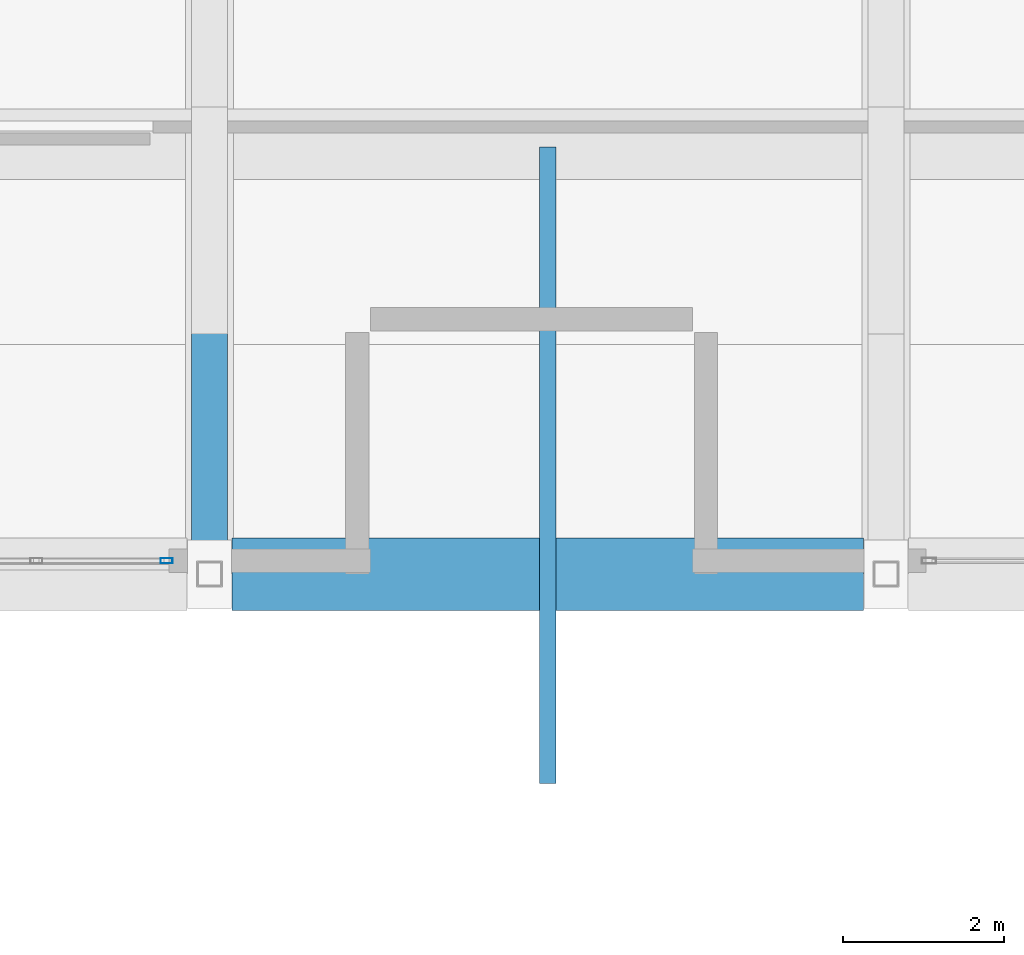
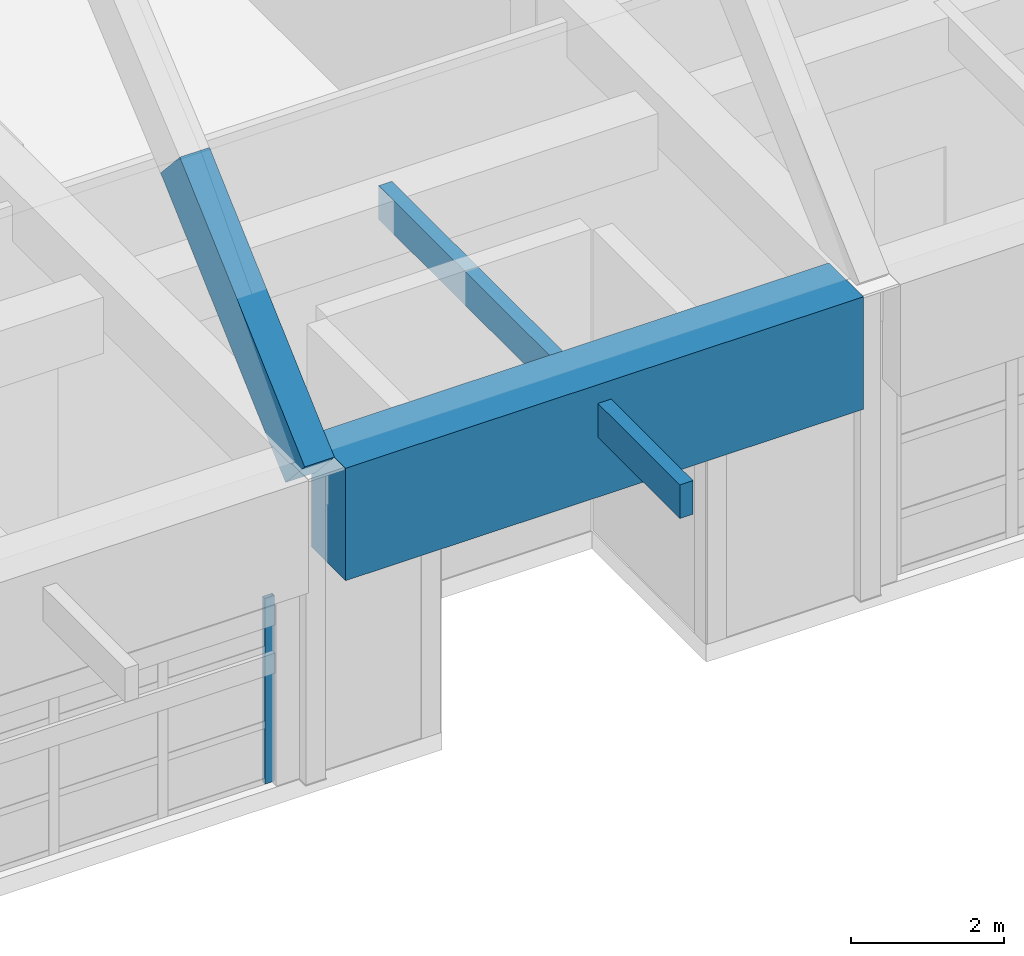
# One storey, part 29 of 103: 2 beams, 2 members, 1 element without a shape of its own.
"""IFC4 building model written with IfcOpenShell, lengths in metres."""

from ifc_helpers import new_model, si_unit, direction, frame, origin, origin_2d, place, context, subcontext, project, spatial, rectangle, hollow_rectangle, extrude, material, layer, layer_set, material_profile, profile_set, type_object, element, aggregate, save


model = new_model("IFC4")

# Units and contexts
model_context = context("Model", 3, precision=1e-05, world=origin(), true_north=direction((0.0, 1.0)))
body_context = subcontext(model_context, "Body", "Model", "MODEL_VIEW")
ifc_project = project(units=[si_unit("LENGTHUNIT", "METRE"), si_unit("AREAUNIT", "SQUARE_METRE"), si_unit("VOLUMEUNIT", "CUBIC_METRE"), si_unit("PLANEANGLEUNIT", "RADIAN"), si_unit("MASSUNIT", "GRAM", prefix="KILO")], contexts=[model_context])

# Site, building, storey
site_placement = place(None, origin())
site = spatial("IfcSite", under=ifc_project, at=site_placement, CompositionType="ELEMENT")
building_placement = place(site_placement, origin())
building = spatial("IfcBuilding", under=site, at=building_placement, Name="Quendrovan Civic Courthouse", CompositionType="ELEMENT")
storey_placement = place(building_placement, frame((0.0, 0.0, 15.300048828125)))
storey = spatial("IfcBuildingStorey", under=building, at=storey_placement, Name="L04", CompositionType="ELEMENT", Elevation=15.300048828125)

# Beams
ifc_material_1 = material(Name="Concrete C45/55", Category="concrete")
ifc_material_profile_1 = material_profile(ifc_material_1, rectangle(XDim=0.89990234375, YDim=1.800048828125, at=origin_2d()), Name="RC-TG-900x1800")
ifc_profile_set_1 = profile_set([ifc_material_profile_1], Name="Concrete C45/55")
beam_type_1 = type_object("IfcBeamType", Name="BM-TG1800", PredefinedType="BEAM", material=ifc_profile_set_1)
beam_1_placement = place(storey_placement, frame((42.280029296875, 64.800048828125, 4.199951171875), z_axis=(1.0, 0.0, 0.0), x_axis=(0.0, 1.0, 0.0)))
element("IfcBeam", 1, at=beam_1_placement, inside=storey, type_object=beam_type_1, Name="BV2 Springing Collector Girder S-2", PredefinedType="BEAM", context=body_context, shape_type="SweptSolid", body=[
    extrude(rectangle(XDim=0.89990234375, YDim=1.800048828125, at=origin_2d()), origin(), (0.0, 0.0, 1.0), 7.840087890625),
])
ifc_material_2 = material(Name="Concrete C40/50", Category="concrete")
ifc_material_profile_2 = material_profile(ifc_material_2, rectangle(XDim=0.449951171875, YDim=0.75, at=origin_2d()), Name="RC-VRIB-450x750")
ifc_profile_set_2 = profile_set([ifc_material_profile_2], Name="Concrete C40/50")
beam_type_2 = type_object("IfcBeamType", Name="BM-VRIB750", PredefinedType="BEAM", material=ifc_profile_set_2)
beam_2_placement = place(storey_placement, frame((42.0, 64.800048828125, 4.89990234375), z_axis=(0.0, 0.740758632606, 0.671771276716), x_axis=(-1.0, 0.0, 0.0)))
element("IfcBeam", 2, at=beam_2_placement, inside=storey, type_object=beam_type_2, Name="BV2 Concrete Vault Arch Rib A2-C1", PredefinedType="BEAM", context=body_context, shape_type="SweptSolid", body=[
    extrude(rectangle(XDim=0.449951171875, YDim=0.75, at=origin_2d()), origin(), (0.0, 0.0, 1.0), 4.423583984375),
])

# Curtain wall, member
ifc_material_3 = material(Name="Bronze anodised aluminium and low-E glass", Category="aluminium")
ifc_layer = layer(ifc_material_3, 0.179931640625, Name="Bronze anodised aluminium and low-E glass")
ifc_layer_set = layer_set([ifc_layer], Name="Bronze anodised aluminium and low-E glass")
curtain_wall_type = type_object("IfcCurtainWallType", Name="CW-U66x30", PredefinedType="USERDEFINED", material=ifc_layer_set)
curtain_wall_placement = place(storey_placement, origin())
curtain_wall = element("IfcCurtainWall", 3, at=curtain_wall_placement, inside=storey, type_object=curtain_wall_type, Name="L04 Unitised Hurricane Curtain Wall CW-163", ObjectType="UNITISED CURTAIN WALL", PredefinedType="USERDEFINED")
ifc_material_4 = material(Name="Bronze anodised aluminium", Category="aluminium")
ifc_material_profile_3 = material_profile(ifc_material_4, hollow_rectangle(XDim=0.06494140625, YDim=0.14990234375, WallThickness=0.00390625, at=origin_2d()), Name="CW-MULL-65x150")
ifc_profile_set_3 = profile_set([ifc_material_profile_3], Name="Bronze anodised aluminium")
member_type_1 = type_object("IfcMemberType", Name="CW-MULL-B", PredefinedType="MULLION", material=ifc_profile_set_3)
member_1_placement = place(storey_placement, frame((41.467529296875, 64.965087890625, 0.0), z_axis=(0.0, 0.0, 1.0), x_axis=(0.0, -1.0, 0.0)))
member_1 = element("IfcMember", 4, at=member_1_placement, type_object=member_type_1, Name="CW-163 mullion 1", PredefinedType="MULLION", context=body_context, shape_type="SweptSolid", body=[
    extrude(hollow_rectangle(XDim=0.06494140625, YDim=0.14990234375, WallThickness=0.00390625, at=origin_2d()), origin(), (0.0, 0.0, 1.0), 2.969970703125),
])
aggregate(curtain_wall, [member_1])

# Member
ifc_material_5 = material(Name="Western Red Cedar Glulam GL28h", Category="wood")
ifc_material_profile_4 = material_profile(ifc_material_5, rectangle(XDim=0.199951171875, YDim=0.5400390625, at=origin_2d()), Name="GL28H-200x540")
ifc_profile_set_4 = profile_set([ifc_material_profile_4], Name="Western Red Cedar Glulam GL28h")
member_type_2 = type_object("IfcMemberType", Name="MEM-PUR-GL540", PredefinedType="PURLIN", material=ifc_profile_set_4)
member_2_placement = place(storey_placement, frame((46.199951171875, 62.199951171875, 4.530029296875), z_axis=(0.0, 1.0, 0.0), x_axis=(-1.0, 0.0, 0.0)))
element("IfcMember", 5, at=member_2_placement, inside=storey, type_object=member_type_2, Name="BV2 Cedar Glulam South Hurricane Eave Outrigger B2", PredefinedType="PURLIN", context=body_context, shape_type="SweptSolid", body=[
    extrude(rectangle(XDim=0.199951171875, YDim=0.5400390625, at=origin_2d()), origin(), (0.0, 0.0, 1.0), 7.900146484375),
])

save(model, "model.ifc")
